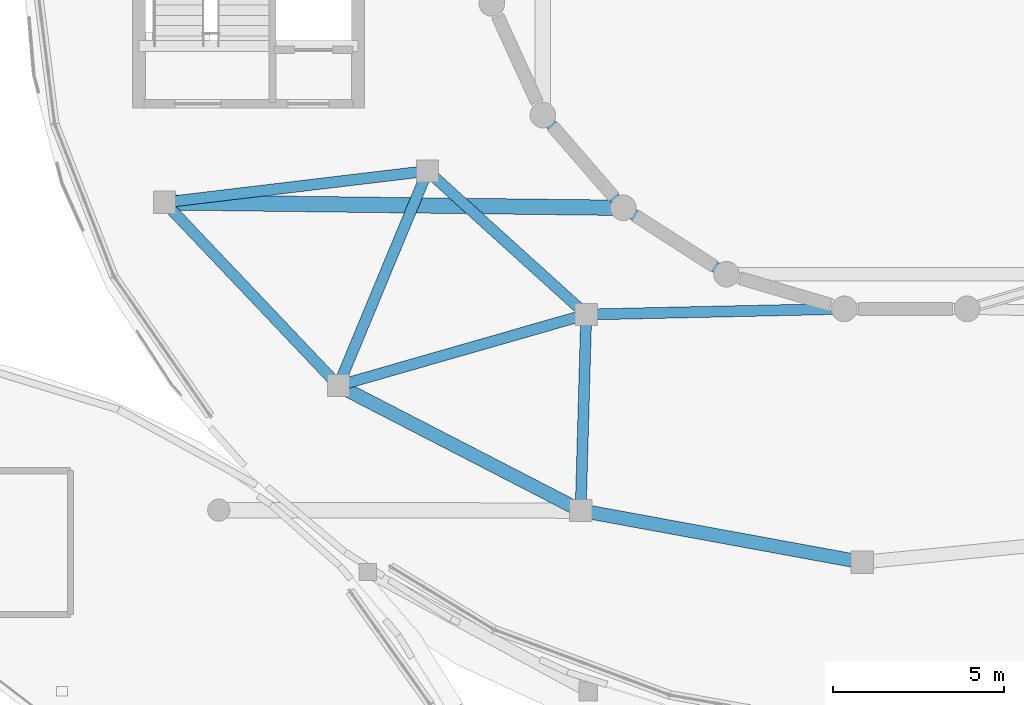
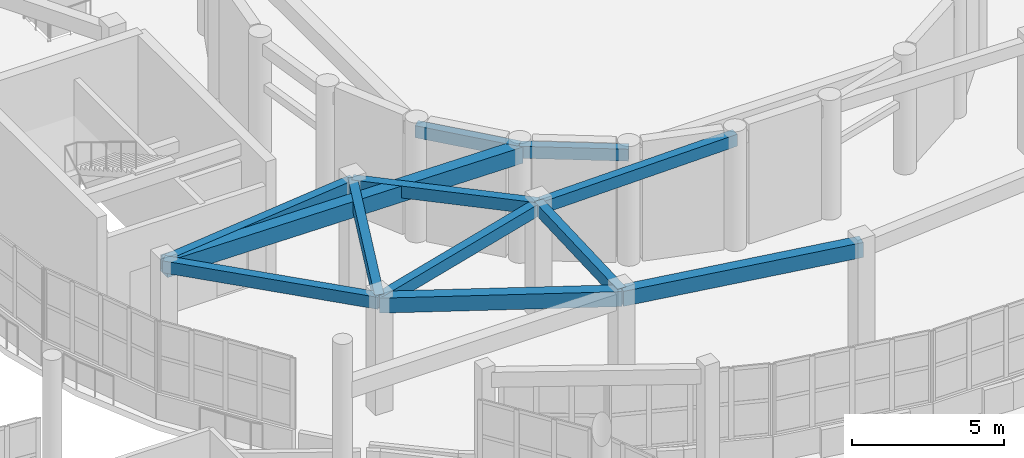
# One storey, part 46 of 105: 12 beams.
"""IFC4 building model written with IfcOpenShell, lengths in metres."""

from ifc_helpers import new_model, si_unit, direction, frame, origin, origin_2d, place, context, subcontext, project, spatial, rectangle, extrude, material, material_profile, profile_set, type_object, element, save


model = new_model("IFC4")

# Units and contexts
model_context = context("Model", 3, precision=1e-05, world=origin(), true_north=direction((0.0, 1.0)))
body_context = subcontext(model_context, "Body", "Model", "MODEL_VIEW")
ifc_project = project(units=[si_unit("LENGTHUNIT", "METRE"), si_unit("AREAUNIT", "SQUARE_METRE"), si_unit("VOLUMEUNIT", "CUBIC_METRE"), si_unit("PLANEANGLEUNIT", "RADIAN"), si_unit("MASSUNIT", "GRAM", prefix="KILO")], contexts=[model_context])

# Site, building, storey
site_placement = place(None, origin())
site = spatial("IfcSite", under=ifc_project, at=site_placement, CompositionType="ELEMENT")
building_placement = place(site_placement, origin())
building = spatial("IfcBuilding", under=site, at=building_placement, Name="Pelvatis Terrace Science Centre", CompositionType="ELEMENT")
storey_placement = place(building_placement, frame((0.0, 0.0, 10.199951171875)))
storey = spatial("IfcBuildingStorey", under=building, at=storey_placement, Name="L02", CompositionType="ELEMENT", Elevation=10.199951171875)

# Beams
ifc_material_1 = material(Name="Concrete C35/45", Category="concrete")
ifc_material_profile_1 = material_profile(ifc_material_1, rectangle(XDim=0.320068359375, YDim=0.47998046875, at=origin_2d()), Name="RC-BM 320x480")
ifc_profile_set_1 = profile_set([ifc_material_profile_1], Name="Concrete C35/45")
beam_type_1 = type_object("IfcBeamType", Name="BM-RC-320x480", PredefinedType="BEAM", material=ifc_profile_set_1)
beam_1_placement = place(storey_placement, frame((98.60009765625, 78.98779296875, 4.300048828125), z_axis=(0.654896845036, -0.755718282406, 0.0), x_axis=(0.755718282406, 0.654896845036, 0.0)))
element("IfcBeam", 1, at=beam_1_placement, inside=storey, type_object=beam_type_1, Name="Beam BM-L02-2864", PredefinedType="BEAM", context=body_context, shape_type="SweptSolid", body=[
    extrude(rectangle(XDim=0.320068359375, YDim=0.47998046875, at=origin_2d()), origin(), (0.0, 0.0, 1.0), 3.586181640625),
])
beam_2_placement = place(storey_placement, frame((100.94873046875, 76.277587890625, 4.300048828125), z_axis=(0.841253667692, -0.540640607607, 0.0), x_axis=(0.540640607607, 0.841253667692, 0.0)))
element("IfcBeam", 2, at=beam_2_placement, inside=storey, type_object=beam_type_1, Name="Beam BM-L02-2865", PredefinedType="BEAM", context=body_context, shape_type="SweptSolid", body=[
    extrude(rectangle(XDim=0.320068359375, YDim=0.47998046875, at=origin_2d()), origin(), (0.0, 0.0, 1.0), 3.58642578125),
])
beam_3_placement = place(storey_placement, frame((107.40673828125, 73.328125, 4.300048828125), z_axis=(-0.999756283601, -0.022076535063, 0.0), x_axis=(0.022076535063, -0.999756283601, 0.0)))
element("IfcBeam", 3, at=beam_3_placement, inside=storey, type_object=beam_type_1, Name="Beam BM-L02-2870", PredefinedType="BEAM", context=body_context, shape_type="SweptSolid", body=[
    extrude(rectangle(XDim=0.320068359375, YDim=0.47998046875, at=origin_2d()), origin(), (0.0, 0.0, 1.0), 7.542236328125),
])
beam_4_placement = place(storey_placement, frame((87.548583984375, 76.43798828125, 4.300048828125), z_axis=(0.688284988325, -0.725440400616, 0.0), x_axis=(0.725440400616, 0.688284988325, 0.0)))
element("IfcBeam", 4, at=beam_4_placement, inside=storey, type_object=beam_type_1, Name="Beam BM-L02-2908", PredefinedType="BEAM", context=body_context, shape_type="SweptSolid", body=[
    extrude(rectangle(XDim=0.320068359375, YDim=0.47998046875, at=origin_2d()), origin(), (0.0, 0.0, 1.0), 7.37890625),
])
beam_5_placement = place(storey_placement, frame((87.548583984375, 76.43798828125, 4.300048828125), z_axis=(0.992948179186, 0.118549202657, 0.0), x_axis=(-0.118549202657, 0.992948179186, 0.0)))
element("IfcBeam", 5, at=beam_5_placement, inside=storey, type_object=beam_type_1, Name="Beam BM-L02-2909", PredefinedType="BEAM", context=body_context, shape_type="SweptSolid", body=[
    extrude(rectangle(XDim=0.320068359375, YDim=0.47998046875, at=origin_2d()), origin(), (0.0, 0.0, 1.0), 7.737060546875),
])
beam_6_placement = place(storey_placement, frame((92.62744140625, 71.0849609375, 4.300048828125), z_axis=(0.383504415053, 0.923539042832, 0.0), x_axis=(-0.923539042832, 0.383504415053, 0.0)))
element("IfcBeam", 6, at=beam_6_placement, inside=storey, type_object=beam_type_1, Name="Beam BM-L02-2911", PredefinedType="BEAM", context=body_context, shape_type="SweptSolid", body=[
    extrude(rectangle(XDim=0.320068359375, YDim=0.47998046875, at=origin_2d()), origin(), (0.0, 0.0, 1.0), 6.789306640625),
])
beam_7_placement = place(storey_placement, frame((92.62744140625, 71.0849609375, 4.300048828125), z_axis=(0.961229800433, 0.275748564382, 0.0), x_axis=(-0.275748564382, 0.961229800433, 0.0)))
element("IfcBeam", 7, at=beam_7_placement, inside=storey, type_object=beam_type_1, Name="Beam BM-L02-2912", PredefinedType="BEAM", context=body_context, shape_type="SweptSolid", body=[
    extrude(rectangle(XDim=0.320068359375, YDim=0.47998046875, at=origin_2d()), origin(), (0.0, 0.0, 1.0), 7.531005859375),
])
beam_8_placement = place(storey_placement, frame((99.705078125, 67.434326171875, 4.300048828125), z_axis=(0.028165640532, 0.999603269649, 0.0), x_axis=(-0.999603269649, 0.028165640532, 0.0)))
element("IfcBeam", 8, at=beam_8_placement, inside=storey, type_object=beam_type_1, Name="Beam BM-L02-2914", PredefinedType="BEAM", context=body_context, shape_type="SweptSolid", body=[
    extrude(rectangle(XDim=0.320068359375, YDim=0.47998046875, at=origin_2d()), origin(), (0.0, 0.0, 1.0), 5.7294921875),
])
beam_9_placement = place(storey_placement, frame((95.231201171875, 77.355224609375, 4.300048828125), z_axis=(0.741551509184, -0.670895937704, 0.0), x_axis=(0.670895937704, 0.741551509184, 0.0)))
element("IfcBeam", 9, at=beam_9_placement, inside=storey, type_object=beam_type_1, Name="Beam BM-L02-2924", PredefinedType="BEAM", context=body_context, shape_type="SweptSolid", body=[
    extrude(rectangle(XDim=0.320068359375, YDim=0.47998046875, at=origin_2d()), origin(), (0.0, 0.0, 1.0), 6.250732421875),
])
ifc_material_2 = material(Name="Concrete C35/45", Category="concrete")
ifc_material_profile_2 = material_profile(ifc_material_2, rectangle(XDim=0.39990234375, YDim=0.60009765625, at=origin_2d()), Name="RC-BM 400x600")
ifc_profile_set_2 = profile_set([ifc_material_profile_2], Name="Concrete C35/45")
beam_type_2 = type_object("IfcBeamType", Name="BM-RC-400x600", PredefinedType="BEAM", material=ifc_profile_set_2)
beam_10_placement = place(storey_placement, frame((92.62744140625, 71.0849609375, 4.239990234375), z_axis=(0.888740331854, -0.458410975585, 0.0), x_axis=(0.458410975585, 0.888740331854, 0.0)))
element("IfcBeam", 10, at=beam_10_placement, inside=storey, type_object=beam_type_2, Name="Beam BM-L02-2910", PredefinedType="BEAM", context=body_context, shape_type="SweptSolid", body=[
    extrude(rectangle(XDim=0.39990234375, YDim=0.60009765625, at=origin_2d()), origin(), (0.0, 0.0, 1.0), 7.963623046875),
])
beam_11_placement = place(storey_placement, frame((99.705078125, 67.434326171875, 4.239990234375), z_axis=(0.983601549943, -0.180355179991, 0.0), x_axis=(0.180355179991, 0.983601549943, 0.0)))
element("IfcBeam", 11, at=beam_11_placement, inside=storey, type_object=beam_type_2, Name="Beam BM-L02-2913", PredefinedType="BEAM", context=body_context, shape_type="SweptSolid", body=[
    extrude(rectangle(XDim=0.39990234375, YDim=0.60009765625, at=origin_2d()), origin(), (0.0, 0.0, 1.0), 8.3603515625),
])
ifc_material_3 = material(Name="Concrete C35/45", Category="concrete")
ifc_material_profile_3 = material_profile(ifc_material_3, rectangle(XDim=0.449951171875, YDim=0.64990234375, at=origin_2d()), Name="RC-BM 450x650")
ifc_profile_set_3 = profile_set([ifc_material_profile_3], Name="Concrete C35/45")
beam_type_3 = type_object("IfcBeamType", Name="BM-RC-450x650", PredefinedType="BEAM", material=ifc_profile_set_3)
beam_12_placement = place(storey_placement, frame((100.94873046875, 76.277587890625, 4.215087890625), z_axis=(-0.999928366679, 0.011969190098, 0.0), x_axis=(-0.011969190098, -0.999928366679, 0.0)))
element("IfcBeam", 12, at=beam_12_placement, inside=storey, type_object=beam_type_3, Name="Beam BM-L02-2866", PredefinedType="BEAM", context=body_context, shape_type="SweptSolid", body=[
    extrude(rectangle(XDim=0.449951171875, YDim=0.64990234375, at=origin_2d()), origin(), (0.0, 0.0, 1.0), 13.401123046875),
])

save(model, "model.ifc")
